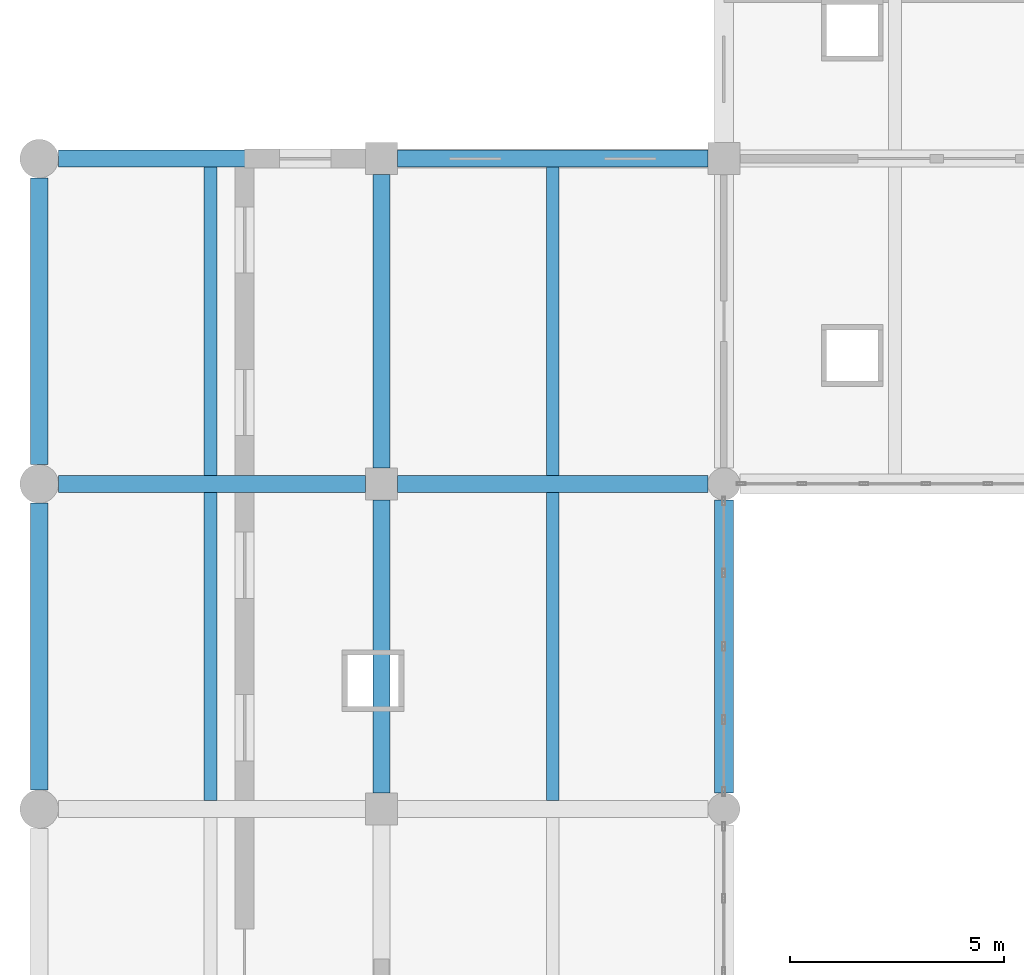
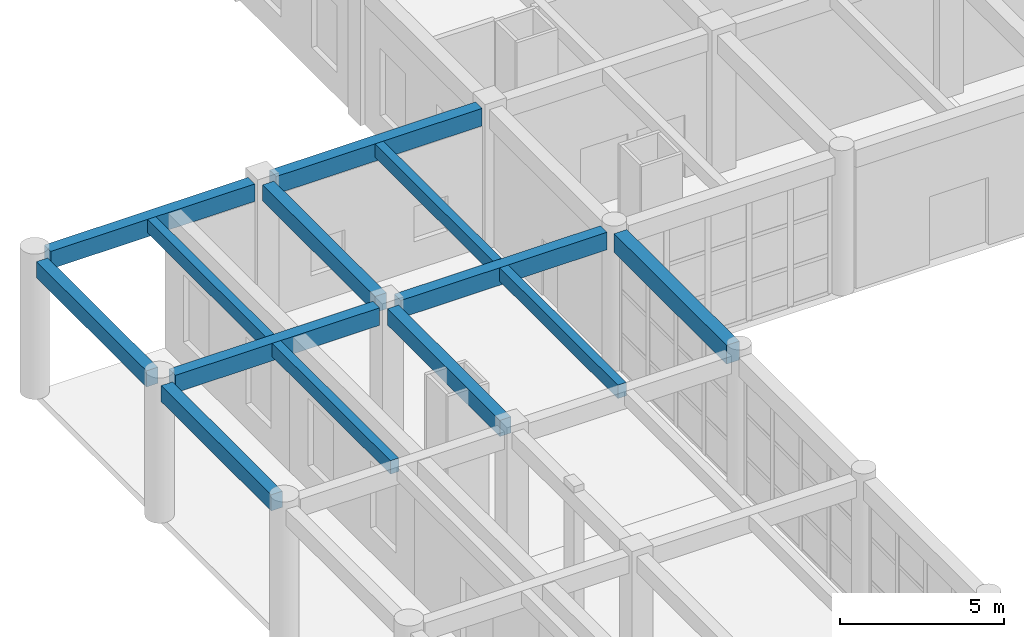
# One storey, part 37 of 95: 13 beams.
"""IFC4 building model written with IfcOpenShell, lengths in metres."""

import ifcopenshell
import ifcopenshell.guid

model = None  # the IFC model being written
_history = None  # IfcOwnerHistory: only IFC2X3 demands one
_inside = {}  # id of a spatial element -> (the spatial element, [elements in it])
_under = {}  # id of a project, library or spatial element -> (it, [spatial elements below it])
_declared = {}  # id of a project -> (the project, [libraries it declares])
_typed = {}  # id of a type object -> (the type object, [elements of that type])
_made_of = {}  # id of a material, layer set ... -> (it, [elements and type objects made of it])


def new_model(schema):
    """Start an empty IFC model of exactly this schema.

    Asked for "IFC4X3", IfcOpenShell would pick the latest addendum, in which some entities
    have other attributes; the version numbers below select the first issue.
    IFC2X3 requires an IfcOwnerHistory on every rooted entity: one is made here for all.
    """
    global model, _history
    if schema == "IFC4X3":
        model = ifcopenshell.file(schema_version=(4, 3, 0, 0))
    else:
        model = ifcopenshell.file(schema=schema)
    _inside.clear()
    _under.clear()
    _declared.clear()
    _typed.clear()
    _made_of.clear()
    _history = None
    if model.schema == "IFC2X3":
        org = make("IfcOrganization", Name="unknown")
        user = make(
            "IfcPersonAndOrganization",
            ThePerson=make("IfcPerson", FamilyName="unknown"),
            TheOrganization=org,
        )
        app = make(
            "IfcApplication",
            ApplicationDeveloper=org,
            Version="unknown",
            ApplicationFullName="unknown",
            ApplicationIdentifier="unknown",
        )
        _history = make(
            "IfcOwnerHistory",
            OwningUser=user,
            OwningApplication=app,
            ChangeAction="ADDED",
            CreationDate=0,
        )
    return model


def make(cls, **values):
    """One entity of the class cls with the attributes given. An attribute that is None is left unset."""
    return model.create_entity(
        cls, **{name: value for name, value in values.items() if value is not None}
    )


def rooted(cls, **values):
    """An entity with a GlobalId (a new one), such as an element, a storey or a relation."""
    return make(cls, GlobalId=ifcopenshell.guid.new(), OwnerHistory=_history, **values)


def si_unit(unit_type, name, prefix=None):
    """IfcSIUnit, for example si_unit("LENGTHUNIT", "METRE", prefix="MILLI")."""
    return make("IfcSIUnit", UnitType=unit_type, Prefix=prefix, Name=name)


def assignment(units):
    """IfcUnitAssignment: the units of a project."""
    return None if units is None else make("IfcUnitAssignment", Units=units)


def point(xyz):
    """IfcCartesianPoint."""
    return None if xyz is None else make("IfcCartesianPoint", Coordinates=xyz)


def direction(xyz):
    """IfcDirection."""
    return None if xyz is None else make("IfcDirection", DirectionRatios=xyz)


def frame(location, z_axis=None, x_axis=None):
    """IfcAxis2Placement3D, a coordinate frame: its origin and axes. An axis left out is left unset."""
    return make(
        "IfcAxis2Placement3D",
        Location=point(location),
        Axis=direction(z_axis),
        RefDirection=direction(x_axis),
    )


def frame_2d(location, x_axis=None):
    """IfcAxis2Placement2D, a coordinate frame in the plane: its origin and x axis."""
    return make(
        "IfcAxis2Placement2D", Location=point(location), RefDirection=direction(x_axis)
    )


def origin():
    """The frame at (0, 0, 0) with its axes left unset."""
    return frame((0.0, 0.0, 0.0))


def origin_2d():
    """The frame at (0, 0) in the plane with its x axis left unset."""
    return frame_2d((0.0, 0.0))


def place(relative_to, where):
    """IfcLocalPlacement: puts the frame where relative to a parent placement (None: the world)."""
    return make(
        "IfcLocalPlacement", PlacementRelTo=relative_to, RelativePlacement=where
    )


def context(
    kind, dimensions, precision=None, world=None, true_north=None, identifier=None
):
    """IfcGeometricRepresentationContext, for example the 3D "Model" context."""
    return make(
        "IfcGeometricRepresentationContext",
        ContextIdentifier=identifier,
        ContextType=kind,
        CoordinateSpaceDimension=dimensions,
        Precision=precision,
        WorldCoordinateSystem=world,
        TrueNorth=true_north,
    )


def subcontext(parent, identifier, kind, view, scale=None):
    """IfcGeometricRepresentationSubContext, for example "Body" below "Model"."""
    return make(
        "IfcGeometricRepresentationSubContext",
        ContextIdentifier=identifier,
        ContextType=kind,
        ParentContext=parent,
        TargetScale=scale,
        TargetView=view,
    )


def project(units=None, contexts=None):
    """IfcProject with its units and contexts."""
    return rooted(
        "IfcProject",
        Name="project",
        RepresentationContexts=contexts,
        UnitsInContext=assignment(units),
    )


def spatial(cls, under=None, at=None, **own):
    """A site, building, storey or space (cls), placed at a placement, below another one or the project."""
    s = rooted(cls, ObjectPlacement=at, **own)
    if under is not None:
        _under.setdefault(under.id(), (under, []))[1].append(s)
    return s


def profile(cls, at=None, kind="AREA", **sizes):
    """A parametric profile (cls). Its sizes go by their IFC names, for example OverallWidth=200.0."""
    return make(cls, ProfileType=kind, Position=at, **sizes)


def rectangle(**sizes):
    """IfcRectangleProfileDef."""
    return profile("IfcRectangleProfileDef", **sizes)


def extrude(swept, where, along, depth):
    """IfcExtrudedAreaSolid: the profile swept, set in the frame where, extruded along a direction by depth."""
    return make(
        "IfcExtrudedAreaSolid",
        SweptArea=swept,
        Position=where,
        ExtrudedDirection=direction(along),
        Depth=depth,
    )


def shape(context_of_items, identifier, shape_type, items):
    """IfcShapeRepresentation: the items that make up one representation, for example the "Body"."""
    return make(
        "IfcShapeRepresentation",
        ContextOfItems=context_of_items,
        RepresentationIdentifier=identifier,
        RepresentationType=shape_type,
        Items=items,
    )


def material(Name=None, Category=None):
    """IfcMaterial."""
    return make("IfcMaterial", Name=Name, Category=Category)


def material_profile(
    of_material, cross_section, Name=None, Category=None, Priority=None
):
    """IfcMaterialProfile: a cross section and its material."""
    return make(
        "IfcMaterialProfile",
        Name=Name,
        Material=of_material,
        Profile=cross_section,
        Priority=Priority,
        Category=Category,
    )


def profile_set(profiles, Name=None, composite=None):
    """IfcMaterialProfileSet."""
    return make(
        "IfcMaterialProfileSet",
        Name=Name,
        MaterialProfiles=profiles,
        CompositeProfile=composite,
    )


def made_of(thing, what):
    """Note that an element or type object is made of a material, layer set ...; save() writes the relation."""
    if what is not None:
        _made_of.setdefault(what.id(), (what, []))[1].append(thing)
    return thing


def type_object(cls, material=None, **own):
    """A type object (cls), such as IfcWallType, which elements share."""
    return made_of(rooted(cls, **own), material)


def element(
    cls,
    number,
    at=None,
    inside=None,
    cuts=None,
    type_object=None,
    material=None,
    context=None,
    identifier="Body",
    shape_type=None,
    held_by="IfcProductDefinitionShape",
    body=None,
    shapes=None,
    **own,
):
    """One element of the class cls, such as IfcWall. Its Tag is "e" and its number.

    at: its placement. inside: the storey or other place that contains it. cuts: it is an
    opening in that element (IfcRelVoidsElement). A single representation is given by context,
    identifier, shape_type and body (its items); several are given by shapes. held_by: the class
    of the entity that holds the representations. save() writes the other relations.
    """
    e = rooted(cls, Tag="e%d" % number, ObjectPlacement=at, **own)
    if body is not None:
        shapes = [shape(context, identifier, shape_type, body)]
    if shapes is not None:
        e.Representation = make(held_by, Representations=shapes)
    if inside is not None:
        _inside.setdefault(inside.id(), (inside, []))[1].append(e)
    if cuts is not None:
        rooted(
            "IfcRelVoidsElement", RelatingBuildingElement=cuts, RelatedOpeningElement=e
        )
    if type_object is not None:
        _typed.setdefault(type_object.id(), (type_object, []))[1].append(e)
    return made_of(e, material)


def aggregate(whole, parts):
    """IfcRelAggregates: a whole, such as a stair, and the parts it consists of."""
    return rooted("IfcRelAggregates", RelatingObject=whole, RelatedObjects=parts)


def save(model, path):
    """Write the relations noted so far, then the file.

    IfcRelAggregates (storeys below a building ...), IfcRelContainedInSpatialStructure (elements
    in a storey), IfcRelDefinesByType, IfcRelAssociatesMaterial and IfcRelDeclares: one each for
    every whole, place, type object, material and project.
    """
    for whole, parts in _under.values():
        aggregate(whole, parts)
    for where, things in _inside.values():
        rooted(
            "IfcRelContainedInSpatialStructure",
            RelatedElements=things,
            RelatingStructure=where,
        )
    for kind, things in _typed.values():
        rooted("IfcRelDefinesByType", RelatedObjects=things, RelatingType=kind)
    for what, things in _made_of.values():
        rooted("IfcRelAssociatesMaterial", RelatedObjects=things, RelatingMaterial=what)
    for by, libraries in _declared.values():
        rooted("IfcRelDeclares", RelatingContext=by, RelatedDefinitions=libraries)
    model.write(path)


model = new_model("IFC4")

# Units and contexts
model_context = context("Model", 3, precision=1e-05, world=origin(), true_north=direction((0.0, 1.0)))
body_context = subcontext(model_context, "Body", "Model", "MODEL_VIEW")
ifc_project = project(units=[si_unit("LENGTHUNIT", "METRE"), si_unit("AREAUNIT", "SQUARE_METRE"), si_unit("VOLUMEUNIT", "CUBIC_METRE"), si_unit("PLANEANGLEUNIT", "RADIAN"), si_unit("MASSUNIT", "GRAM", prefix="KILO")], contexts=[model_context])

# Site, building, storey
site_placement = place(None, origin())
site = spatial("IfcSite", under=ifc_project, at=site_placement, CompositionType="ELEMENT")
building_placement = place(site_placement, origin())
building = spatial("IfcBuilding", under=site, at=building_placement, Name="Zantavel Square City Hall", CompositionType="ELEMENT")
storey_placement = place(building_placement, origin())
storey = spatial("IfcBuildingStorey", under=building, at=storey_placement, Name="L01", CompositionType="ELEMENT", Elevation=0.0)

# Beams
ifc_material = material(Name="Concrete C35/45", Category="concrete")
ifc_material_profile_1 = material_profile(ifc_material, rectangle(XDim=0.300048828125, YDim=0.5, at=origin_2d()), Name="RC 300x500")
ifc_profile_set_1 = profile_set([ifc_material_profile_1], Name="Concrete C35/45")
beam_type_1 = type_object("IfcBeamType", Name="Floor Joist RC 300x500 C35/45", PredefinedType="JOIST", material=ifc_profile_set_1)
for number, where, z_axis, x_axis, name in (
    (1, (4.0, 61.0, 4.89990234375), (0.0, 1.0, 0.0), (-1.0, 0.0, 0.0), "L01 Floor Joist JST-L01-0040-0608"),
    (2, (4.0, 68.60009765625, 4.89990234375), (0.0, 1.0, 0.0), (-1.0, 0.0, 0.0), "L01 Floor Joist JST-L01-0040-0684"),
    (3, (12.0, 61.0, 4.909912109375), (0.0, 1.0, 0.0), (-1.0, 0.0, 0.0), "L01 Floor Joist JST-L01-0120-0608"),
    (4, (12.0, 68.60009765625, 4.909912109375), (0.0, 1.0, 0.0), (-1.0, 0.0, 0.0), "L01 Floor Joist JST-L01-0120-0684"),
):
    element("IfcBeam", number, at=place(storey_placement, frame(where, z_axis=z_axis, x_axis=x_axis)), inside=storey, type_object=beam_type_1, Name=name, PredefinedType="JOIST", context=body_context, shape_type="SweptSolid", body=[
        extrude(rectangle(XDim=0.300048828125, YDim=0.5, at=origin_2d()), origin(), (0.0, 0.0, 1.0), 7.199951171875),
    ])
ifc_material_profile_2 = material_profile(ifc_material, rectangle(XDim=0.39990234375, YDim=0.64990234375, at=origin_2d()), Name="RC 400x650")
ifc_profile_set_2 = profile_set([ifc_material_profile_2], Name="Concrete C35/45")
beam_type_2 = type_object("IfcBeamType", Name="Frame Beam RC 400x650 C35/45", PredefinedType="BEAM", material=ifc_profile_set_2)
for number, where, z_axis, x_axis, name in (
    (5, (0.449951171875, 68.39990234375, 4.824951171875), (1.0, 0.0, 0.0), (0.0, 1.0, 0.0), "L01 Girder BMX-L01-0000-0684"),
    (6, (0.449951171875, 76.0, 4.824951171875), (1.0, 0.0, 0.0), (0.0, 1.0, 0.0), "L01 Girder BMX-L01-0000-0760"),
):
    element("IfcBeam", number, at=place(storey_placement, frame(where, z_axis=z_axis, x_axis=x_axis)), inside=storey, type_object=beam_type_2, Name=name, PredefinedType="BEAM", context=body_context, shape_type="SweptSolid", body=[
        extrude(rectangle(XDim=0.39990234375, YDim=0.64990234375, at=origin_2d()), origin(), (0.0, 0.0, 1.0), 7.175048828125),
    ])
for number, where, z_axis, x_axis, name in (
    (7, (8.375, 68.39990234375, 4.8349609375), (1.0, 0.0, 0.0), (0.0, 1.0, 0.0), "L01 Girder BMX-L01-0080-0684"),
    (8, (8.375, 76.0, 4.8349609375), (1.0, 0.0, 0.0), (0.0, 1.0, 0.0), "L01 Girder BMX-L01-0080-0760"),
):
    element("IfcBeam", number, at=place(storey_placement, frame(where, z_axis=z_axis, x_axis=x_axis)), inside=storey, type_object=beam_type_2, Name=name, PredefinedType="BEAM", context=body_context, shape_type="SweptSolid", body=[
        extrude(rectangle(XDim=0.39990234375, YDim=0.64990234375, at=origin_2d()), origin(), (0.0, 0.0, 1.0), 7.25),
    ])
ifc_material_profile_3 = material_profile(ifc_material, rectangle(XDim=0.39990234375, YDim=0.60009765625, at=origin_2d()), Name="RC 400x600")
ifc_profile_set_3 = profile_set([ifc_material_profile_3], Name="Concrete C35/45")
beam_type_3 = type_object("IfcBeamType", Name="Perimeter Spandrel RC 400x600 C35/45", PredefinedType="SPANDREL", material=ifc_profile_set_3)
for number, where, z_axis, x_axis, name in (
    (9, (0.0, 61.25, 4.85009765625), (0.0, 1.0, 0.0), (-1.0, 0.0, 0.0), "L01 Beam BMY-L01-0000-0608"),
    (10, (0.0, 68.85009765625, 4.85009765625), (0.0, 1.0, 0.0), (-1.0, 0.0, 0.0), "L01 Beam BMY-L01-0000-0684"),
):
    element("IfcBeam", number, at=place(storey_placement, frame(where, z_axis=z_axis, x_axis=x_axis)), inside=storey, type_object=beam_type_3, Name=name, PredefinedType="SPANDREL", context=body_context, shape_type="SweptSolid", body=[
        extrude(rectangle(XDim=0.39990234375, YDim=0.60009765625, at=origin_2d()), origin(), (0.0, 0.0, 1.0), 6.699951171875),
    ])
beam_1_placement = place(storey_placement, frame((8.0, 61.175048828125, 4.860107421875), z_axis=(0.0, 1.0, 0.0), x_axis=(-1.0, 0.0, 0.0)))
element("IfcBeam", 11, at=beam_1_placement, inside=storey, type_object=beam_type_3, Name="L01 Beam BMY-L01-0080-0608", PredefinedType="SPANDREL", context=body_context, shape_type="SweptSolid", body=[
    extrude(rectangle(XDim=0.39990234375, YDim=0.60009765625, at=origin_2d()), origin(), (0.0, 0.0, 1.0), 6.849853515625),
])
beam_2_placement = place(storey_placement, frame((8.0, 68.77490234375, 4.860107421875), z_axis=(0.0, 1.0, 0.0), x_axis=(-1.0, 0.0, 0.0)))
element("IfcBeam", 12, at=beam_2_placement, inside=storey, type_object=beam_type_3, Name="L01 Beam BMY-L01-0080-0684", PredefinedType="SPANDREL", context=body_context, shape_type="SweptSolid", body=[
    extrude(rectangle(XDim=0.39990234375, YDim=0.60009765625, at=origin_2d()), origin(), (0.0, 0.0, 1.0), 6.85009765625),
])
ifc_material_profile_4 = material_profile(ifc_material, rectangle(XDim=0.449951171875, YDim=0.699951171875, at=origin_2d()), Name="RC 450x700")
ifc_profile_set_4 = profile_set([ifc_material_profile_4], Name="Concrete C35/45")
beam_type_4 = type_object("IfcBeamType", Name="Primary Girder RC 450x700 C35/45", PredefinedType="BEAM", material=ifc_profile_set_4)
beam_3_placement = place(storey_placement, frame((16.0, 61.175048828125, 4.81005859375), z_axis=(0.0, 1.0, 0.0), x_axis=(-1.0, 0.0, 0.0)))
element("IfcBeam", 13, at=beam_3_placement, inside=storey, type_object=beam_type_4, Name="L01 Beam BMY-L01-0160-0608", PredefinedType="BEAM", context=body_context, shape_type="SweptSolid", body=[
    extrude(rectangle(XDim=0.449951171875, YDim=0.699951171875, at=origin_2d()), origin(), (0.0, 0.0, 1.0), 6.849853515625),
])

save(model, "model.ifc")
